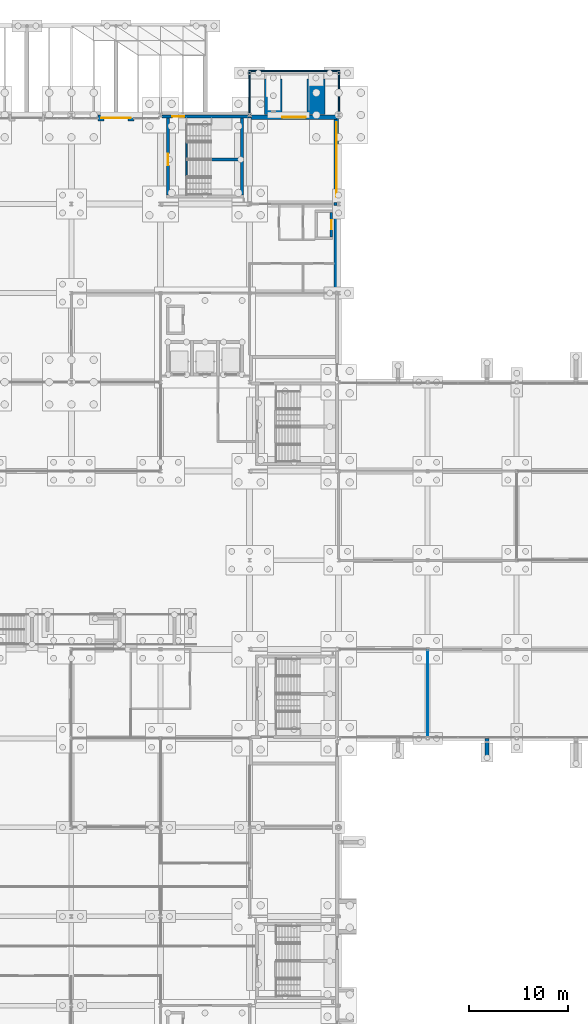
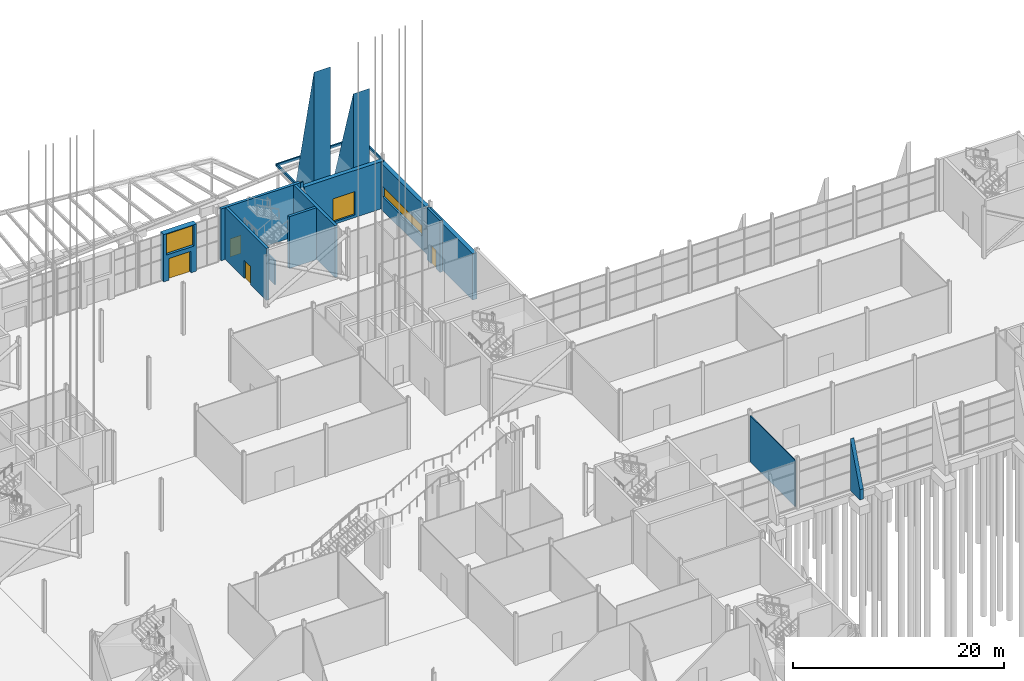
# One storey, part 111 of 139: 19 walls, 4 doors, 3 windows, 7 openings.
"""IFC4 building model written with IfcOpenShell, lengths in metres."""

from ifc_helpers import new_model, si_unit, direction, frame, frame_2d, origin, place, context, subcontext, project, spatial, polyline, rectangle, outline, extrude, material, layer, layer_set, type_object, element, fill, save


model = new_model("IFC4")

# Units and contexts
model_context = context("Model", 3, precision=1e-05, world=origin(), true_north=direction((0.0, 1.0)))
body_context = subcontext(model_context, "Body", "Model", "MODEL_VIEW")
ifc_project = project(units=[si_unit("LENGTHUNIT", "METRE"), si_unit("AREAUNIT", "SQUARE_METRE"), si_unit("VOLUMEUNIT", "CUBIC_METRE"), si_unit("PLANEANGLEUNIT", "RADIAN"), si_unit("MASSUNIT", "GRAM", prefix="KILO")], contexts=[model_context])

# Site, building, storey
site_placement = place(None, origin())
site = spatial("IfcSite", under=ifc_project, at=site_placement, CompositionType="ELEMENT")
building_placement = place(site_placement, origin())
building = spatial("IfcBuilding", under=site, at=building_placement, Name="Shorebreak Coast Museum", CompositionType="ELEMENT")
storey_placement = place(building_placement, origin())
storey = spatial("IfcBuildingStorey", under=building, at=storey_placement, Name="L00", CompositionType="ELEMENT", Elevation=0.0)

# Walls
ifc_material_1 = material(Name="Concrete N50 (50 MPa)", Category="concrete")
ifc_layer_1 = layer(ifc_material_1, 0.14990234375)
ifc_layer_set_1 = layer_set([ifc_layer_1], Name="Concrete N50 (50 MPa)")
wall_type_1 = type_object("IfcWallType", Name="Arcade roof upstand 150", PredefinedType="PARAPET", material=ifc_layer_set_1)
wall_1_placement = place(storey_placement, frame((107.89990234375, 121.425048828125, 5.0), z_axis=(0.0, 0.0, 1.0), x_axis=(1.0, 0.0, 0.0)))
element("IfcWall", 1, at=wall_1_placement, inside=storey, type_object=wall_type_1, Name="Arcade roof upstand north 4", PredefinedType="PARAPET", context=body_context, shape_type="SweptSolid", body=[
    extrude(rectangle(XDim=9.2001953125, YDim=0.14990234375, at=frame_2d((4.60009765625, 0.0))), origin(), (0.0, 0.0, 1.0), 0.300048828125),
])
for number, where, z_axis, x_axis, name in (
    (2, (107.97509765625, 117.0, 5.0), (0.0, 0.0, 1.0), (0.0, 1.0, 0.0), "Arcade roof upstand north 4 end 1"),
    (3, (117.02490234375, 117.0, 5.0), (0.0, 0.0, 1.0), (0.0, 1.0, 0.0), "Arcade roof upstand north 4 end 2"),
):
    element("IfcWall", number, at=place(storey_placement, frame(where, z_axis=z_axis, x_axis=x_axis)), inside=storey, type_object=wall_type_1, Name=name, PredefinedType="PARAPET", context=body_context, shape_type="SweptSolid", body=[
        extrude(rectangle(XDim=4.35009765625, YDim=0.14990234375, at=frame_2d((2.175048828125, 0.0))), origin(), (0.0, 0.0, 1.0), 0.300048828125),
    ])
ifc_material_2 = material(Name="Concrete N50 (50 MPa)", Category="concrete")
ifc_layer_2 = layer(ifc_material_2, 1.800048828125)
ifc_layer_set_2 = layer_set([ifc_layer_2], Name="Concrete N50 (50 MPa)")
wall_type_2 = type_object("IfcWallType", Name="Buttress pier 1800", PredefinedType="SOLIDWALL", material=ifc_layer_set_2)
wall_2_placement = place(storey_placement, frame((110.39990234375, 117.02490234375, 0.0), z_axis=(0.0, 0.0, 1.0), x_axis=(0.0, 1.0, 0.0)))
element("IfcWall", 4, at=wall_2_placement, inside=storey, type_object=wall_type_2, Name="Buttress pier N31", PredefinedType="SOLIDWALL", context=body_context, shape_type="SweptSolid", body=[
    extrude(outline(polyline([(0.0, 0.0), (3.60009765625, 0.0), (3.60009765625, 2.39990234375), (0.0, 18.0), (0.0, 0.0)])), frame((0.0, 0.89990234375, 0.0), z_axis=(0.0, -1.0, 0.0), x_axis=(1.0, 0.0, 0.0)), (0.0, 0.0, 1.0), 1.800048828125),
])
wall_3_placement = place(storey_placement, frame((114.699951171875, 117.02490234375, 0.0), z_axis=(0.0, 0.0, 1.0), x_axis=(0.0, 1.0, 0.0)))
element("IfcWall", 5, at=wall_3_placement, inside=storey, type_object=wall_type_2, Name="Buttress pier N32", PredefinedType="SOLIDWALL", context=body_context, shape_type="SweptSolid", body=[
    extrude(outline(polyline([(0.0, 0.0), (3.60009765625, 0.0), (3.60009765625, 2.39990234375), (0.0, 14.0), (0.0, 0.0)])), frame((0.0, 0.89990234375, 0.0), z_axis=(0.0, -1.0, 0.0), x_axis=(1.0, 0.0, 0.0)), (0.0, 0.0, 1.0), 1.800048828125),
])
ifc_material_3 = material(Name="Concrete N50 (50 MPa)", Category="concrete")
ifc_layer_3 = layer(ifc_material_3, 0.136474609375)
ifc_layer_set_3 = layer_set([ifc_layer_3], Name="Concrete N50 (50 MPa)")
wall_type_3 = type_object("IfcWallType", Name="Column closure panel 136", PredefinedType="SOLIDWALL", material=ifc_layer_set_3)
wall_4_placement = place(storey_placement, frame((107.844482421875, 116.768310546875, 0.0), z_axis=(0.0, 0.0, 1.0), x_axis=(1.0, 0.0, 0.0)))
element("IfcWall", 6, at=wall_4_placement, inside=storey, type_object=wall_type_3, Name="Column closure panel L00 N 13P", PredefinedType="SOLIDWALL", context=body_context, shape_type="SweptSolid", body=[
    extrude(rectangle(XDim=0.322021484375, YDim=0.136474609375, at=frame_2d((0.1611328125, 0.0))), origin(), (0.0, 0.0, 1.0), 6.0),
])
ifc_material_4 = material(Name="Concrete N50 (50 MPa)", Category="concrete")
ifc_layer_4 = layer(ifc_material_4, 0.29541015625)
ifc_layer_set_4 = layer_set([ifc_layer_4], Name="Concrete N50 (50 MPa)")
wall_type_4 = type_object("IfcWallType", Name="Column closure panel 295", PredefinedType="SOLIDWALL", material=ifc_layer_set_4)
wall_5_placement = place(storey_placement, frame((116.69775390625, 107.839111328125, 0.0), z_axis=(0.0, 0.0, 1.0), x_axis=(0.0, 1.0, 0.0)))
element("IfcWall", 7, at=wall_5_placement, inside=storey, type_object=wall_type_4, Name="Column closure panel L00 E 14N", PredefinedType="SOLIDWALL", context=body_context, shape_type="SweptSolid", body=[
    extrude(rectangle(XDim=0.32177734375, YDim=0.29541015625, at=frame_2d((0.160888671875, 0.0))), origin(), (0.0, 0.0, 1.0), 5.364501953125),
])
ifc_material_5 = material(Name="Concrete N50 (50 MPa)", Category="concrete")
ifc_layer_5 = layer(ifc_material_5, 0.449951171875)
ifc_layer_set_5 = layer_set([ifc_layer_5], Name="Concrete N50 (50 MPa)")
wall_type_5 = type_object("IfcWallType", Name="Deep-set precast panel 450", PredefinedType="SOLIDWALL", material=ifc_layer_set_5)
wall_6_placement = place(storey_placement, frame((116.77490234375, 99.16162109375, 0.0), z_axis=(0.0, 0.0, 1.0), x_axis=(0.0, 1.0, 0.0)))
element("IfcWall", 8, at=wall_6_placement, inside=storey, type_object=wall_type_5, Name="External wall L00 E 14M", PredefinedType="SOLIDWALL", context=body_context, shape_type="SweptSolid", body=[
    extrude(rectangle(XDim=8.677490234375, YDim=0.449951171875, at=frame_2d((4.3388671875, 0.0))), origin(), (0.0, 0.0, 1.0), 5.364501953125),
])

# Wall, opening, window
wall_7_placement = place(storey_placement, frame((108.16650390625, 116.77490234375, 0.0), z_axis=(0.0, 0.0, 1.0), x_axis=(1.0, 0.0, 0.0)))
wall_7 = element("IfcWall", 9, at=wall_7_placement, inside=storey, type_object=wall_type_5, Name="External wall L00 N 13P", PredefinedType="SOLIDWALL", context=body_context, shape_type="SweptSolid", body=[
    extrude(rectangle(XDim=8.677978515625, YDim=0.449951171875, at=frame_2d((4.3388671875, 0.0))), origin(), (0.0, 0.0, 1.0), 5.46630859375),
])
opening_1_placement = place(wall_7_placement, frame((3.133544921875, 0.0, 0.300048828125)))
opening_1 = element("IfcOpeningElement", 10, at=opening_1_placement, cuts=wall_7, Name="Opening WN0006", PredefinedType="OPENING", context=body_context, shape_type="SweptSolid", body=[
    extrude(rectangle(XDim=2.39990234375, YDim=2.699951171875, at=frame_2d((1.199951171875, 1.35009765625))), frame((0.0, 0.23486328125, 0.0), z_axis=(0.0, -1.0, 0.0), x_axis=(1.0, 0.0, 0.0)), (0.0, 0.0, 1.0), 0.469970703125),
])
ifc_material_6 = material(Name="Aluminium", Category="aluminium")
window_type_1 = type_object("IfcWindowType", Name="Shop display window 2400 x 2700", PartitioningType="SINGLE_PANEL", PredefinedType="WINDOW", material=ifc_material_6)
window_1_placement = place(opening_1_placement, origin())
window_1 = element("IfcWindow", 11, at=window_1_placement, inside=storey, type_object=window_type_1, Name="Window WN0006", OverallHeight=2.699951171875, OverallWidth=2.39990234375, PartitioningType="SINGLE_PANEL", PredefinedType="WINDOW", context=body_context, shape_type="SweptSolid", body=[
    extrude(rectangle(XDim=2.39990234375, YDim=2.699951171875, at=frame_2d((1.199951171875, 1.35009765625))), frame((0.0, 0.030029296875, 0.0), z_axis=(0.0, -1.0, 0.0), x_axis=(1.0, 0.0, 0.0)), (0.0, 0.0, 1.0), 0.06005859375),
])
fill(opening_1, window_1)

wall_8_placement = place(storey_placement, frame((116.77490234375, 108.160888671875, 0.0), z_axis=(0.0, 0.0, 1.0), x_axis=(0.0, 1.0, 0.0)))
wall_8 = element("IfcWall", 12, at=wall_8_placement, inside=storey, type_object=wall_type_5, Name="External wall L00 E 14N", PredefinedType="SOLIDWALL", context=body_context, shape_type="SweptSolid", body=[
    extrude(rectangle(XDim=8.675537109375, YDim=0.449951171875, at=frame_2d((4.337890625, 0.0))), origin(), (0.0, 0.0, 1.0), 5.364501953125),
])
opening_2_placement = place(wall_8_placement, frame((0.589599609375, 0.0, 1.60009765625)))
opening_2 = element("IfcOpeningElement", 13, at=opening_2_placement, cuts=wall_8, Name="Opening WN0004", PredefinedType="OPENING", context=body_context, shape_type="SweptSolid", body=[
    extrude(rectangle(XDim=7.5, YDim=1.199951171875, at=frame_2d((3.75, 0.60009765625))), frame((0.0, 0.23486328125, 0.0), z_axis=(0.0, -1.0, 0.0), x_axis=(1.0, 0.0, 0.0)), (0.0, 0.0, 1.0), 0.469970703125),
])
ifc_material_7 = material(Name="Aluminium", Category="aluminium")
window_type_2 = type_object("IfcWindowType", Name="Ribbon window 7500 x 1200", PartitioningType="SINGLE_PANEL", PredefinedType="WINDOW", material=ifc_material_7)
window_2_placement = place(opening_2_placement, origin())
window_2 = element("IfcWindow", 14, at=window_2_placement, inside=storey, type_object=window_type_2, Name="Window WN0004", OverallHeight=1.199951171875, OverallWidth=7.5, PartitioningType="SINGLE_PANEL", PredefinedType="WINDOW", context=body_context, shape_type="SweptSolid", body=[
    extrude(rectangle(XDim=7.5, YDim=1.199951171875, at=frame_2d((3.75, 0.60009765625))), frame((0.0, 0.030029296875, 0.0), z_axis=(0.0, -1.0, 0.0), x_axis=(1.0, 0.0, 0.0)), (0.0, 0.0, 1.0), 0.06005859375),
])
fill(opening_2, window_2)

# Wall, openings, door, window
ifc_material_8 = material(Name="Concrete N50 (50 MPa)", Category="concrete")
ifc_layer_6 = layer(ifc_material_8, 0.60009765625)
ifc_layer_set_6 = layer_set([ifc_layer_6], Name="Concrete N50 (50 MPa)")
wall_type_6 = type_object("IfcWallType", Name="Entrance portal panel 600", PredefinedType="SOLIDWALL", material=ifc_layer_set_6)
wall_9_placement = place(storey_placement, frame((92.699951171875, 116.699951171875, 0.0), z_axis=(0.0, 0.0, 1.0), x_axis=(1.0, 0.0, 0.0)))
wall_9 = element("IfcWall", 15, at=wall_9_placement, inside=storey, type_object=wall_type_6, Name="Entrance portal ENT-N", PredefinedType="SOLIDWALL", context=body_context, shape_type="SweptSolid", body=[
    extrude(rectangle(XDim=3.60009765625, YDim=0.60009765625, at=frame_2d((1.800048828125, 0.0))), origin(), (0.0, 0.0, 1.0), 5.46630859375),
])
opening_3_placement = place(wall_9_placement, frame((0.60009765625, 0.0, 0.0)))
opening_3 = element("IfcOpeningElement", 16, at=opening_3_placement, cuts=wall_9, Name="Opening D0911", PredefinedType="OPENING", context=body_context, shape_type="SweptSolid", body=[
    extrude(rectangle(XDim=2.39990234375, YDim=2.5, at=frame_2d((1.199951171875, 1.25))), frame((0.0, 0.31005859375, 0.0), z_axis=(0.0, -1.0, 0.0), x_axis=(1.0, 0.0, 0.0)), (0.0, 0.0, 1.0), 0.6201171875),
])
opening_4_placement = place(wall_9_placement, frame((0.300048828125, 0.0, 3.0)))
opening_4 = element("IfcOpeningElement", 17, at=opening_4_placement, cuts=wall_9, Name="Opening WN0017", PredefinedType="OPENING", context=body_context, shape_type="SweptSolid", body=[
    extrude(rectangle(XDim=3.0, YDim=2.39990234375, at=frame_2d((1.5, 1.199951171875))), frame((0.0, 0.31005859375, 0.0), z_axis=(0.0, -1.0, 0.0), x_axis=(1.0, 0.0, 0.0)), (0.0, 0.0, 1.0), 0.6201171875),
])
ifc_material_9 = material(Name="Aluminium", Category="aluminium")
door_type_1 = type_object("IfcDoorType", Name="Entrance automatic sliding pair 2400 x 2500", OperationType="DOUBLE_DOOR_SLIDING", PredefinedType="DOOR", material=ifc_material_9)
door_1_placement = place(opening_3_placement, origin())
door_1 = element("IfcDoor", 18, at=door_1_placement, inside=storey, type_object=door_type_1, Name="Main entrance ENT-N D0911", OperationType="DOUBLE_DOOR_SLIDING", OverallHeight=2.5, OverallWidth=2.39990234375, PredefinedType="DOOR", context=body_context, shape_type="SweptSolid", body=[
    extrude(rectangle(XDim=2.39990234375, YDim=2.5, at=frame_2d((1.199951171875, 1.25))), frame((0.0, 0.02490234375, 0.0), z_axis=(0.0, -1.0, 0.0), x_axis=(1.0, 0.0, 0.0)), (0.0, 0.0, 1.0), 0.050048828125),
])
fill(opening_3, door_1)
ifc_material_10 = material(Name="Aluminium", Category="aluminium")
window_type_3 = type_object("IfcWindowType", Name="Entrance transom light 3000 x 2400", PartitioningType="SINGLE_PANEL", PredefinedType="WINDOW", material=ifc_material_10)
window_3_placement = place(opening_4_placement, origin())
window_3 = element("IfcWindow", 19, at=window_3_placement, inside=storey, type_object=window_type_3, Name="Window WN0017", OverallHeight=2.39990234375, OverallWidth=3.0, PartitioningType="SINGLE_PANEL", PredefinedType="WINDOW", context=body_context, shape_type="SweptSolid", body=[
    extrude(rectangle(XDim=3.0, YDim=2.39990234375, at=frame_2d((1.5, 1.199951171875))), frame((0.0, 0.030029296875, 0.0), z_axis=(0.0, -1.0, 0.0), x_axis=(1.0, 0.0, 0.0)), (0.0, 0.0, 1.0), 0.06005859375),
])
fill(opening_4, window_3)

# Wall
ifc_material_11 = material(Name="Plasterboard on steel stud", Category="steel")
ifc_layer_7 = layer(ifc_material_11, 0.10009765625)
ifc_layer_set_7 = layer_set([ifc_layer_7], Name="Plasterboard on steel stud")
wall_type_7 = type_object("IfcWallType", Name="Partition 100", PredefinedType="PARTITIONING", material=ifc_layer_set_7)
wall_10_placement = place(storey_placement, frame((126.0, 54.300048828125, 0.0), z_axis=(0.0, 0.0, 1.0), x_axis=(0.0, 1.0, 0.0)))
element("IfcWall", 20, at=wall_10_placement, inside=storey, type_object=wall_type_7, Name="Partition L00-166", PredefinedType="PARTITIONING", context=body_context, shape_type="SweptSolid", body=[
    extrude(rectangle(XDim=8.53955078125, YDim=0.10009765625, at=frame_2d((4.269775390625, 0.0))), origin(), (0.0, 0.0, 1.0), 5.364501953125),
])

# Wall, opening, door
ifc_material_12 = material(Name="Concrete N50 (50 MPa)", Category="concrete")
ifc_layer_8 = layer(ifc_material_12, 0.25)
ifc_layer_set_8 = layer_set([ifc_layer_8], Name="Concrete N50 (50 MPa)")
wall_type_8 = type_object("IfcWallType", Name="RC riser wall 250", PredefinedType="STANDARD", material=ifc_layer_set_8)
wall_11_placement = place(storey_placement, frame((116.27490234375, 104.64990234375, 0.0), z_axis=(0.0, 0.0, 1.0), x_axis=(0.0, 1.0, 0.0)))
wall_11 = element("IfcWall", 21, at=wall_11_placement, inside=storey, type_object=wall_type_8, Name="Riser wall R-WC-N2 L00 E", PredefinedType="STANDARD", context=body_context, shape_type="SweptSolid", body=[
    extrude(rectangle(XDim=2.5, YDim=0.25, at=frame_2d((1.25, 0.0))), origin(), (0.0, 0.0, 1.0), 6.0),
])
opening_5_placement = place(wall_11_placement, frame((0.800048828125, 0.0, 0.0)))
opening_5 = element("IfcOpeningElement", 22, at=opening_5_placement, cuts=wall_11, Name="Opening D0602", PredefinedType="OPENING", context=body_context, shape_type="SweptSolid", body=[
    extrude(rectangle(XDim=0.89990234375, YDim=2.10009765625, at=frame_2d((0.449951171875, 1.050048828125))), frame((0.0, 0.135009765625, 0.0), z_axis=(0.0, -1.0, 0.0), x_axis=(1.0, 0.0, 0.0)), (0.0, 0.0, 1.0), 0.27001953125),
])
ifc_material_13 = material(Name="Steel Grade 300", Category="steel")
door_type_2 = type_object("IfcDoorType", Name="Riser door 900x2100", OperationType="SINGLE_SWING_LEFT", PredefinedType="DOOR", material=ifc_material_13)
door_2_placement = place(opening_5_placement, origin())
door_2 = element("IfcDoor", 23, at=door_2_placement, inside=storey, type_object=door_type_2, Name="Riser door R-WC-N2 L00", OperationType="SINGLE_SWING_LEFT", OverallHeight=2.10009765625, OverallWidth=0.89990234375, PredefinedType="DOOR", context=body_context, shape_type="SweptSolid", body=[
    extrude(rectangle(XDim=0.89990234375, YDim=2.10009765625, at=frame_2d((0.449951171875, 1.050048828125))), frame((0.0, 0.02490234375, 0.0), z_axis=(0.0, -1.0, 0.0), x_axis=(1.0, 0.0, 0.0)), (0.0, 0.0, 1.0), 0.050048828125),
])
fill(opening_5, door_2)

ifc_material_14 = material(Name="Concrete N50 (50 MPa)", Category="concrete")
ifc_layer_9 = layer(ifc_material_14, 0.300048828125)
ifc_layer_set_9 = layer_set([ifc_layer_9], Name="Concrete N50 (50 MPa)")
wall_type_9 = type_object("IfcWallType", Name="RC wall 300", PredefinedType="SHEAR", material=ifc_layer_set_9)
wall_12_placement = place(storey_placement, frame((99.155517578125, 116.85009765625, 0.0), z_axis=(0.0, 0.0, 1.0), x_axis=(1.0, 0.0, 0.0)))
wall_12 = element("IfcWall", 24, at=wall_12_placement, inside=storey, type_object=wall_type_9, Name="Stair core wall ST10 L00 N", PredefinedType="SHEAR", context=body_context, shape_type="SweptSolid", body=[
    extrude(rectangle(XDim=8.68896484375, YDim=0.300048828125, at=frame_2d((4.344482421875, 0.0))), origin(), (0.0, 0.0, 1.0), 6.0),
])
opening_6_placement = place(wall_12_placement, frame((1.04443359375, 0.0, 0.0)))
opening_6 = element("IfcOpeningElement", 25, at=opening_6_placement, cuts=wall_12, Name="Opening D0710", PredefinedType="OPENING", context=body_context, shape_type="SweptSolid", body=[
    extrude(rectangle(XDim=1.199951171875, YDim=2.10009765625, at=frame_2d((0.60009765625, 1.050048828125))), frame((0.0, 0.159912109375, 0.0), z_axis=(0.0, -1.0, 0.0), x_axis=(1.0, 0.0, 0.0)), (0.0, 0.0, 1.0), 0.320068359375),
])
ifc_material_15 = material(Name="Steel Grade 300", Category="steel")
door_type_3 = type_object("IfcDoorType", Name="Exit door 1200x2100", OperationType="SINGLE_SWING_LEFT", PredefinedType="DOOR", material=ifc_material_15)
door_3_placement = place(opening_6_placement, origin())
door_3 = element("IfcDoor", 26, at=door_3_placement, inside=storey, type_object=door_type_3, Name="Exit door ST10", OperationType="SINGLE_SWING_RIGHT", OverallHeight=2.10009765625, OverallWidth=1.199951171875, PredefinedType="DOOR", context=body_context, shape_type="SweptSolid", body=[
    extrude(rectangle(XDim=1.199951171875, YDim=2.10009765625, at=frame_2d((0.60009765625, 1.050048828125))), frame((0.0, 0.02490234375, 0.0), z_axis=(0.0, -1.0, 0.0), x_axis=(1.0, 0.0, 0.0)), (0.0, 0.0, 1.0), 0.050048828125),
])
fill(opening_6, door_3)

wall_13_placement = place(storey_placement, frame((99.75, 108.89990234375, 0.0), z_axis=(0.0, 0.0, 1.0), x_axis=(0.0, 1.0, 0.0)))
wall_13 = element("IfcWall", 27, at=wall_13_placement, inside=storey, type_object=wall_type_9, Name="Stair core wall ST10 L00 W", PredefinedType="SHEAR", context=body_context, shape_type="SweptSolid", body=[
    extrude(rectangle(XDim=7.800048828125, YDim=0.300048828125, at=frame_2d((3.89990234375, 0.0))), origin(), (0.0, 0.0, 1.0), 6.0),
])
opening_7_placement = place(wall_13_placement, frame((3.0, 0.0, 0.0)))
opening_7 = element("IfcOpeningElement", 28, at=opening_7_placement, cuts=wall_13, Name="Opening D0810", PredefinedType="OPENING", context=body_context, shape_type="SweptSolid", body=[
    extrude(rectangle(XDim=1.199951171875, YDim=2.10009765625, at=frame_2d((0.60009765625, 1.050048828125))), frame((0.0, 0.159912109375, 0.0), z_axis=(0.0, -1.0, 0.0), x_axis=(1.0, 0.0, 0.0)), (0.0, 0.0, 1.0), 0.320068359375),
])
ifc_material_16 = material(Name="Steel Grade 300", Category="steel")
door_type_4 = type_object("IfcDoorType", Name="Fire door 1200x2100", OperationType="SINGLE_SWING_LEFT", PredefinedType="DOOR", material=ifc_material_16)
door_4_placement = place(opening_7_placement, origin())
door_4 = element("IfcDoor", 29, at=door_4_placement, inside=storey, type_object=door_type_4, Name="Stair door ST10 L00", OperationType="SINGLE_SWING_LEFT", OverallHeight=2.10009765625, OverallWidth=1.199951171875, PredefinedType="DOOR", context=body_context, shape_type="SweptSolid", body=[
    extrude(rectangle(XDim=1.199951171875, YDim=2.10009765625, at=frame_2d((0.60009765625, 1.050048828125))), frame((0.0, 0.02490234375, 0.0), z_axis=(0.0, -1.0, 0.0), x_axis=(1.0, 0.0, 0.0)), (0.0, 0.0, 1.0), 0.050048828125),
])
fill(opening_7, door_4)

# Walls
wall_14_placement = place(storey_placement, frame((107.25, 108.89990234375, 0.0), z_axis=(0.0, 0.0, 1.0), x_axis=(0.0, 1.0, 0.0)))
element("IfcWall", 30, at=wall_14_placement, inside=storey, type_object=wall_type_9, Name="Stair core wall ST10 L00 E", PredefinedType="SHEAR", context=body_context, shape_type="SweptSolid", body=[
    extrude(rectangle(XDim=7.800048828125, YDim=0.300048828125, at=frame_2d((3.89990234375, 0.0))), origin(), (0.0, 0.0, 1.0), 6.0),
])
wall_15_placement = place(storey_placement, frame((104.10009765625, 112.5, 0.0), z_axis=(0.0, 0.0, 1.0), x_axis=(1.0, 0.0, 0.0)))
element("IfcWall", 31, at=wall_15_placement, inside=storey, type_object=wall_type_9, Name="Stair spine wall ST10 L00", PredefinedType="SHEAR", context=body_context, shape_type="SweptSolid", body=[
    extrude(rectangle(XDim=3.0, YDim=0.300048828125, at=frame_2d((1.5, 0.0))), origin(), (0.0, 0.0, 1.0), 6.0),
])
ifc_material_17 = material(Name="Concrete N50 (50 MPa)", Category="concrete")
ifc_layer_10 = layer(ifc_material_17, 0.39990234375)
ifc_layer_set_10 = layer_set([ifc_layer_10], Name="Concrete N50 (50 MPa)")
wall_type_10 = type_object("IfcWallType", Name="Raked fin 400", PredefinedType="SOLIDWALL", material=ifc_layer_set_10)
wall_16_placement = place(storey_placement, frame((132.0, 54.0, 0.0), z_axis=(0.0, 0.0, 1.0), x_axis=(0.0, -1.0, 0.0)))
element("IfcWall", 32, at=wall_16_placement, inside=storey, type_object=wall_type_10, Name="Raked fin ES27", PredefinedType="SOLIDWALL", context=body_context, shape_type="SweptSolid", body=[
    extrude(outline(polyline([(0.0, 0.0), (1.800048828125, 0.0), (1.800048828125, 1.199951171875), (0.0, 6.0), (0.0, 0.0)])), frame((0.0, 0.199951171875, 0.0), z_axis=(0.0, -1.0, 0.0), x_axis=(1.0, 0.0, 0.0)), (0.0, 0.0, 1.0), 0.39990234375),
])
ifc_material_18 = material(Name="Concrete N50 (50 MPa)", Category="concrete")
ifc_layer_11 = layer(ifc_material_18, 0.14990234375)
ifc_layer_set_11 = layer_set([ifc_layer_11], Name="Concrete N50 (50 MPa)")
wall_type_11 = type_object("IfcWallType", Name="Understair wall 150", PredefinedType="STANDARD", material=ifc_layer_set_11)
wall_17_placement = place(storey_placement, frame((101.625, 110.699951171875, 0.0), z_axis=(0.0, 0.0, 1.0), x_axis=(0.0, 1.0, 0.0)))
element("IfcWall", 33, at=wall_17_placement, inside=storey, type_object=wall_type_11, Name="Understair wall ST10 L00 floor", PredefinedType="STANDARD", context=body_context, shape_type="SweptSolid", body=[
    extrude(rectangle(XDim=5.400146484375, YDim=0.14990234375, at=frame_2d((2.7001953125, 0.0))), origin(), (0.0, 0.0, 1.0), 2.800048828125),
])

save(model, "model.ifc")
